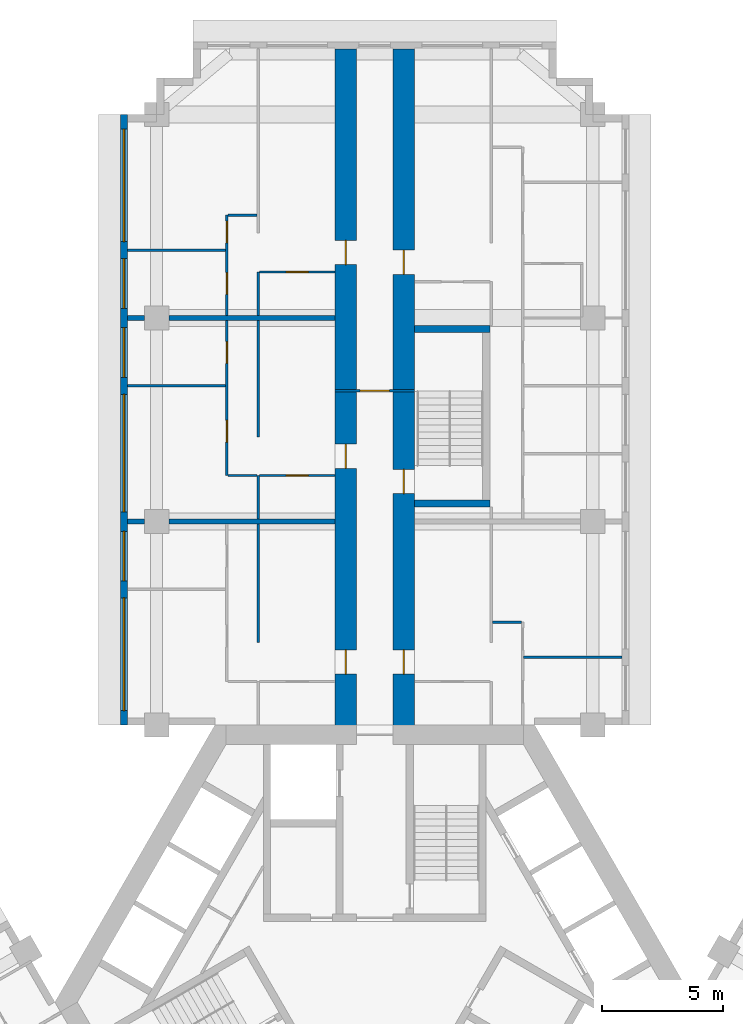
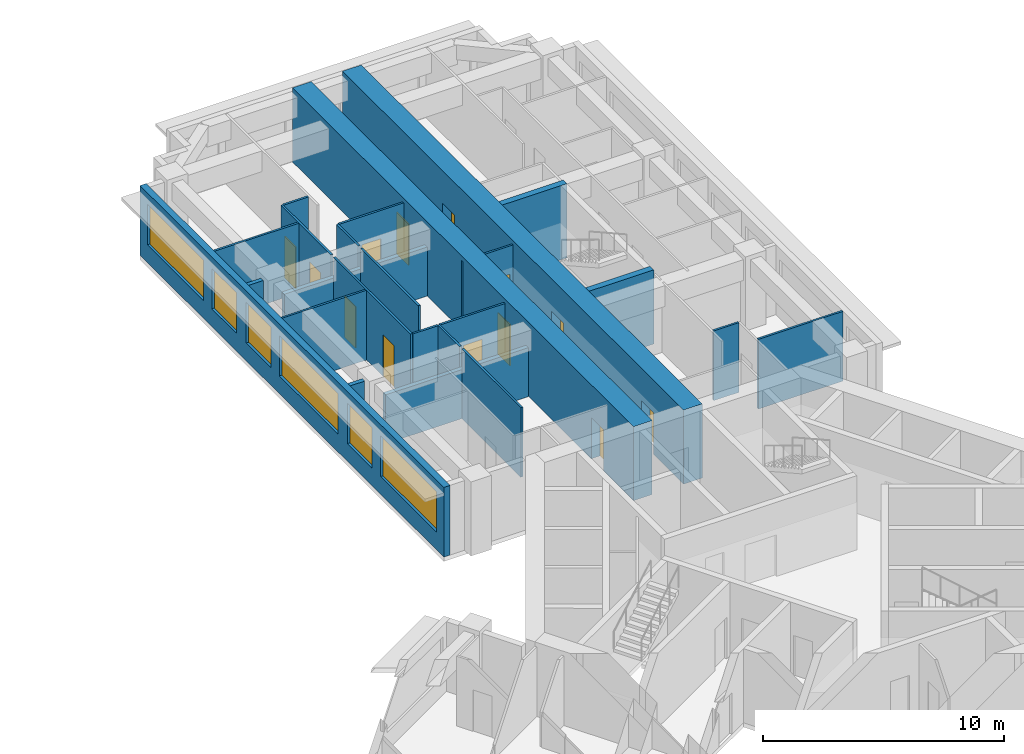
# One storey, part 9 of 14: 24 walls, 13 doors, 6 windows, 19 openings.
"""IFC4 building model written with IfcOpenShell, lengths in metres."""

import ifcopenshell
import ifcopenshell.guid

model = None  # the IFC model being written
_history = None  # IfcOwnerHistory: only IFC2X3 demands one
_inside = {}  # id of a spatial element -> (the spatial element, [elements in it])
_under = {}  # id of a project, library or spatial element -> (it, [spatial elements below it])
_declared = {}  # id of a project -> (the project, [libraries it declares])
_typed = {}  # id of a type object -> (the type object, [elements of that type])
_made_of = {}  # id of a material, layer set ... -> (it, [elements and type objects made of it])


def new_model(schema):
    """Start an empty IFC model of exactly this schema.

    Asked for "IFC4X3", IfcOpenShell would pick the latest addendum, in which some entities
    have other attributes; the version numbers below select the first issue.
    IFC2X3 requires an IfcOwnerHistory on every rooted entity: one is made here for all.
    """
    global model, _history
    if schema == "IFC4X3":
        model = ifcopenshell.file(schema_version=(4, 3, 0, 0))
    else:
        model = ifcopenshell.file(schema=schema)
    _inside.clear()
    _under.clear()
    _declared.clear()
    _typed.clear()
    _made_of.clear()
    _history = None
    if model.schema == "IFC2X3":
        org = make("IfcOrganization", Name="unknown")
        user = make(
            "IfcPersonAndOrganization",
            ThePerson=make("IfcPerson", FamilyName="unknown"),
            TheOrganization=org,
        )
        app = make(
            "IfcApplication",
            ApplicationDeveloper=org,
            Version="unknown",
            ApplicationFullName="unknown",
            ApplicationIdentifier="unknown",
        )
        _history = make(
            "IfcOwnerHistory",
            OwningUser=user,
            OwningApplication=app,
            ChangeAction="ADDED",
            CreationDate=0,
        )
    return model


def make(cls, **values):
    """One entity of the class cls with the attributes given. An attribute that is None is left unset."""
    return model.create_entity(
        cls, **{name: value for name, value in values.items() if value is not None}
    )


def rooted(cls, **values):
    """An entity with a GlobalId (a new one), such as an element, a storey or a relation."""
    return make(cls, GlobalId=ifcopenshell.guid.new(), OwnerHistory=_history, **values)


def si_unit(unit_type, name, prefix=None):
    """IfcSIUnit, for example si_unit("LENGTHUNIT", "METRE", prefix="MILLI")."""
    return make("IfcSIUnit", UnitType=unit_type, Prefix=prefix, Name=name)


def assignment(units):
    """IfcUnitAssignment: the units of a project."""
    return None if units is None else make("IfcUnitAssignment", Units=units)


def point(xyz):
    """IfcCartesianPoint."""
    return None if xyz is None else make("IfcCartesianPoint", Coordinates=xyz)


def direction(xyz):
    """IfcDirection."""
    return None if xyz is None else make("IfcDirection", DirectionRatios=xyz)


def frame(location, z_axis=None, x_axis=None):
    """IfcAxis2Placement3D, a coordinate frame: its origin and axes. An axis left out is left unset."""
    return make(
        "IfcAxis2Placement3D",
        Location=point(location),
        Axis=direction(z_axis),
        RefDirection=direction(x_axis),
    )


def frame_2d(location, x_axis=None):
    """IfcAxis2Placement2D, a coordinate frame in the plane: its origin and x axis."""
    return make(
        "IfcAxis2Placement2D", Location=point(location), RefDirection=direction(x_axis)
    )


def origin():
    """The frame at (0, 0, 0) with its axes left unset."""
    return frame((0.0, 0.0, 0.0))


def place(relative_to, where):
    """IfcLocalPlacement: puts the frame where relative to a parent placement (None: the world)."""
    return make(
        "IfcLocalPlacement", PlacementRelTo=relative_to, RelativePlacement=where
    )


def context(
    kind, dimensions, precision=None, world=None, true_north=None, identifier=None
):
    """IfcGeometricRepresentationContext, for example the 3D "Model" context."""
    return make(
        "IfcGeometricRepresentationContext",
        ContextIdentifier=identifier,
        ContextType=kind,
        CoordinateSpaceDimension=dimensions,
        Precision=precision,
        WorldCoordinateSystem=world,
        TrueNorth=true_north,
    )


def subcontext(parent, identifier, kind, view, scale=None):
    """IfcGeometricRepresentationSubContext, for example "Body" below "Model"."""
    return make(
        "IfcGeometricRepresentationSubContext",
        ContextIdentifier=identifier,
        ContextType=kind,
        ParentContext=parent,
        TargetScale=scale,
        TargetView=view,
    )


def project(units=None, contexts=None):
    """IfcProject with its units and contexts."""
    return rooted(
        "IfcProject",
        Name="project",
        RepresentationContexts=contexts,
        UnitsInContext=assignment(units),
    )


def spatial(cls, under=None, at=None, **own):
    """A site, building, storey or space (cls), placed at a placement, below another one or the project."""
    s = rooted(cls, ObjectPlacement=at, **own)
    if under is not None:
        _under.setdefault(under.id(), (under, []))[1].append(s)
    return s


def profile(cls, at=None, kind="AREA", **sizes):
    """A parametric profile (cls). Its sizes go by their IFC names, for example OverallWidth=200.0."""
    return make(cls, ProfileType=kind, Position=at, **sizes)


def rectangle(**sizes):
    """IfcRectangleProfileDef."""
    return profile("IfcRectangleProfileDef", **sizes)


def extrude(swept, where, along, depth):
    """IfcExtrudedAreaSolid: the profile swept, set in the frame where, extruded along a direction by depth."""
    return make(
        "IfcExtrudedAreaSolid",
        SweptArea=swept,
        Position=where,
        ExtrudedDirection=direction(along),
        Depth=depth,
    )


def shape(context_of_items, identifier, shape_type, items):
    """IfcShapeRepresentation: the items that make up one representation, for example the "Body"."""
    return make(
        "IfcShapeRepresentation",
        ContextOfItems=context_of_items,
        RepresentationIdentifier=identifier,
        RepresentationType=shape_type,
        Items=items,
    )


def material(Name=None, Category=None):
    """IfcMaterial."""
    return make("IfcMaterial", Name=Name, Category=Category)


def layer(
    of_material, thickness, ventilated=None, Name=None, Category=None, Priority=None
):
    """IfcMaterialLayer: one layer of a wall or slab, of a material (None: an air gap)."""
    return make(
        "IfcMaterialLayer",
        Material=of_material,
        LayerThickness=thickness,
        IsVentilated=ventilated,
        Name=Name,
        Category=Category,
        Priority=Priority,
    )


def layer_set(layers, Name=None):
    """IfcMaterialLayerSet."""
    return make("IfcMaterialLayerSet", MaterialLayers=layers, LayerSetName=Name)


def made_of(thing, what):
    """Note that an element or type object is made of a material, layer set ...; save() writes the relation."""
    if what is not None:
        _made_of.setdefault(what.id(), (what, []))[1].append(thing)
    return thing


def type_object(cls, material=None, **own):
    """A type object (cls), such as IfcWallType, which elements share."""
    return made_of(rooted(cls, **own), material)


def element(
    cls,
    number,
    at=None,
    inside=None,
    cuts=None,
    type_object=None,
    material=None,
    context=None,
    identifier="Body",
    shape_type=None,
    held_by="IfcProductDefinitionShape",
    body=None,
    shapes=None,
    **own,
):
    """One element of the class cls, such as IfcWall. Its Tag is "e" and its number.

    at: its placement. inside: the storey or other place that contains it. cuts: it is an
    opening in that element (IfcRelVoidsElement). A single representation is given by context,
    identifier, shape_type and body (its items); several are given by shapes. held_by: the class
    of the entity that holds the representations. save() writes the other relations.
    """
    e = rooted(cls, Tag="e%d" % number, ObjectPlacement=at, **own)
    if body is not None:
        shapes = [shape(context, identifier, shape_type, body)]
    if shapes is not None:
        e.Representation = make(held_by, Representations=shapes)
    if inside is not None:
        _inside.setdefault(inside.id(), (inside, []))[1].append(e)
    if cuts is not None:
        rooted(
            "IfcRelVoidsElement", RelatingBuildingElement=cuts, RelatedOpeningElement=e
        )
    if type_object is not None:
        _typed.setdefault(type_object.id(), (type_object, []))[1].append(e)
    return made_of(e, material)


def fill(opening, filler):
    """IfcRelFillsElement: the door or window that sits in an opening."""
    return rooted(
        "IfcRelFillsElement",
        RelatingOpeningElement=opening,
        RelatedBuildingElement=filler,
    )


def aggregate(whole, parts):
    """IfcRelAggregates: a whole, such as a stair, and the parts it consists of."""
    return rooted("IfcRelAggregates", RelatingObject=whole, RelatedObjects=parts)


def save(model, path):
    """Write the relations noted so far, then the file.

    IfcRelAggregates (storeys below a building ...), IfcRelContainedInSpatialStructure (elements
    in a storey), IfcRelDefinesByType, IfcRelAssociatesMaterial and IfcRelDeclares: one each for
    every whole, place, type object, material and project.
    """
    for whole, parts in _under.values():
        aggregate(whole, parts)
    for where, things in _inside.values():
        rooted(
            "IfcRelContainedInSpatialStructure",
            RelatedElements=things,
            RelatingStructure=where,
        )
    for kind, things in _typed.values():
        rooted("IfcRelDefinesByType", RelatedObjects=things, RelatingType=kind)
    for what, things in _made_of.values():
        rooted("IfcRelAssociatesMaterial", RelatedObjects=things, RelatingMaterial=what)
    for by, libraries in _declared.values():
        rooted("IfcRelDeclares", RelatingContext=by, RelatedDefinitions=libraries)
    model.write(path)


model = new_model("IFC4")

# Units and contexts
model_context = context("Model", 3, precision=1e-05, world=origin(), true_north=direction((0.0, 1.0)))
body_context = subcontext(model_context, "Body", "Model", "MODEL_VIEW")
ifc_project = project(units=[si_unit("LENGTHUNIT", "METRE"), si_unit("AREAUNIT", "SQUARE_METRE"), si_unit("VOLUMEUNIT", "CUBIC_METRE"), si_unit("PLANEANGLEUNIT", "RADIAN"), si_unit("MASSUNIT", "GRAM", prefix="KILO")], contexts=[model_context])

# Site, building, storey
site_placement = place(None, origin())
site = spatial("IfcSite", under=ifc_project, at=site_placement, CompositionType="ELEMENT")
building_placement = place(site_placement, origin())
building = spatial("IfcBuilding", under=site, at=building_placement, Name="Impinga Residences", CompositionType="ELEMENT")
storey_placement = place(building_placement, frame((0.0, 0.0, 121.0)))
storey = spatial("IfcBuildingStorey", under=building, at=storey_placement, Name="L29", CompositionType="ELEMENT", Elevation=121.0)

# Wall, openings, doors
ifc_material_1 = material(Name="Concrete C60/75", Category="concrete")
ifc_layer_1 = layer(ifc_material_1, 0.89990234375)
ifc_layer_set_1 = layer_set([ifc_layer_1], Name="Concrete C60/75")
wall_type_1 = type_object("IfcWallType", Name="BW2 corridor buttress wall, L24 to L44 900", PredefinedType="SHEAR", material=ifc_layer_set_1)
wall_1_placement = place(storey_placement, frame((-1.199951171875, 11.031494140625, 0.0), z_axis=(0.0, 0.0, 1.0), x_axis=(0.0, 1.0, 0.0)))
wall_1 = element("IfcWall", 1, at=wall_1_placement, inside=storey, type_object=wall_type_1, Name="Corridor wall BW2 NC L29", PredefinedType="SHEAR", context=body_context, shape_type="SweptSolid", body=[
    extrude(rectangle(XDim=28.300048828125, YDim=0.89990234375, at=frame_2d((14.14990234375, 0.0))), origin(), (0.0, 0.0, 1.0), 3.75),
])
opening_1_placement = place(wall_1_placement, frame((2.5, 0.0, 0.0)))
opening_1 = element("IfcOpeningElement", 2, at=opening_1_placement, cuts=wall_1, Name="Opening D1", PredefinedType="OPENING", context=body_context, shape_type="SweptSolid", body=[
    extrude(rectangle(XDim=1.0, YDim=2.10009765625, at=frame_2d((0.5, 1.050048828125))), frame((0.0, 0.4599609375, 0.0), z_axis=(0.0, -1.0, 0.0), x_axis=(1.0, 0.0, 0.0)), (0.0, 0.0, 1.0), 0.919921875),
])
opening_2_placement = place(wall_1_placement, frame((11.0, 0.0, 0.0)))
opening_2 = element("IfcOpeningElement", 3, at=opening_2_placement, cuts=wall_1, Name="Opening D1", PredefinedType="OPENING", context=body_context, shape_type="SweptSolid", body=[
    extrude(rectangle(XDim=1.0, YDim=2.10009765625, at=frame_2d((0.5, 1.050048828125))), frame((0.0, 0.4599609375, 0.0), z_axis=(0.0, -1.0, 0.0), x_axis=(1.0, 0.0, 0.0)), (0.0, 0.0, 1.0), 0.919921875),
])
opening_3_placement = place(wall_1_placement, frame((19.39990234375, 0.0, 0.0)))
opening_3 = element("IfcOpeningElement", 4, at=opening_3_placement, cuts=wall_1, Name="Opening D1", PredefinedType="OPENING", context=body_context, shape_type="SweptSolid", body=[
    extrude(rectangle(XDim=1.0, YDim=2.10009765625, at=frame_2d((0.5, 1.050048828125))), frame((0.0, 0.4599609375, 0.0), z_axis=(0.0, -1.0, 0.0), x_axis=(1.0, 0.0, 0.0)), (0.0, 0.0, 1.0), 0.919921875),
])
ifc_material_2 = material(Name="Timber door set", Category="wood")
door_type_1 = type_object("IfcDoorType", Name="D1 apartment entrance door 1000x2100", OperationType="SINGLE_SWING_LEFT", PredefinedType="DOOR", material=ifc_material_2)
door_1_placement = place(opening_1_placement, origin())
door_1 = element("IfcDoor", 5, at=door_1_placement, inside=storey, type_object=door_type_1, Name="Apartment L29-NA1 entrance", OperationType="SINGLE_SWING_LEFT", OverallHeight=2.10009765625, OverallWidth=1.0, PredefinedType="DOOR", context=body_context, shape_type="SweptSolid", body=[
    extrude(rectangle(XDim=1.0, YDim=2.10009765625, at=frame_2d((0.5, 1.050048828125))), frame((0.0, 0.02490234375, 0.0), z_axis=(0.0, -1.0, 0.0), x_axis=(1.0, 0.0, 0.0)), (0.0, 0.0, 1.0), 0.050048828125),
])
fill(opening_1, door_1)
door_2_placement = place(opening_2_placement, origin())
door_2 = element("IfcDoor", 6, at=door_2_placement, inside=storey, type_object=door_type_1, Name="Apartment L29-NA2 entrance", OperationType="SINGLE_SWING_LEFT", OverallHeight=2.10009765625, OverallWidth=1.0, PredefinedType="DOOR", context=body_context, shape_type="SweptSolid", body=[
    extrude(rectangle(XDim=1.0, YDim=2.10009765625, at=frame_2d((0.5, 1.050048828125))), frame((0.0, 0.02490234375, 0.0), z_axis=(0.0, -1.0, 0.0), x_axis=(1.0, 0.0, 0.0)), (0.0, 0.0, 1.0), 0.050048828125),
])
fill(opening_2, door_2)
door_3_placement = place(opening_3_placement, origin())
door_3 = element("IfcDoor", 7, at=door_3_placement, inside=storey, type_object=door_type_1, Name="Apartment L29-NA3 entrance", OperationType="SINGLE_SWING_RIGHT", OverallHeight=2.10009765625, OverallWidth=1.0, PredefinedType="DOOR", context=body_context, shape_type="SweptSolid", body=[
    extrude(rectangle(XDim=1.0, YDim=2.10009765625, at=frame_2d((0.5, 1.050048828125))), frame((0.0, 0.02490234375, 0.0), z_axis=(0.0, -1.0, 0.0), x_axis=(1.0, 0.0, 0.0)), (0.0, 0.0, 1.0), 0.050048828125),
])
fill(opening_3, door_3)

wall_2_placement = place(storey_placement, frame((1.199951171875, 11.031494140625, 0.0), z_axis=(0.0, 0.0, 1.0), x_axis=(0.0, 1.0, 0.0)))
wall_2 = element("IfcWall", 8, at=wall_2_placement, inside=storey, type_object=wall_type_1, Name="Corridor wall BW2 ND L29", PredefinedType="SHEAR", context=body_context, shape_type="SweptSolid", body=[
    extrude(rectangle(XDim=28.300048828125, YDim=0.89990234375, at=frame_2d((14.14990234375, 0.0))), origin(), (0.0, 0.0, 1.0), 3.75),
])
opening_4_placement = place(wall_2_placement, frame((9.949951171875, 0.0, 0.0)))
opening_4 = element("IfcOpeningElement", 9, at=opening_4_placement, cuts=wall_2, Name="Opening D5", PredefinedType="OPENING", context=body_context, shape_type="SweptSolid", body=[
    extrude(rectangle(XDim=1.0, YDim=2.10009765625, at=frame_2d((0.5, 1.050048828125))), frame((0.0, 0.4599609375, 0.0), z_axis=(0.0, -1.0, 0.0), x_axis=(1.0, 0.0, 0.0)), (0.0, 0.0, 1.0), 0.919921875),
])
opening_5_placement = place(wall_2_placement, frame((2.5, 0.0, 0.0)))
opening_5 = element("IfcOpeningElement", 10, at=opening_5_placement, cuts=wall_2, Name="Opening D1", PredefinedType="OPENING", context=body_context, shape_type="SweptSolid", body=[
    extrude(rectangle(XDim=1.0, YDim=2.10009765625, at=frame_2d((0.5, 1.050048828125))), frame((0.0, 0.4599609375, 0.0), z_axis=(0.0, -1.0, 0.0), x_axis=(1.0, 0.0, 0.0)), (0.0, 0.0, 1.0), 0.919921875),
])
opening_6_placement = place(wall_2_placement, frame((19.0, 0.0, 0.0)))
opening_6 = element("IfcOpeningElement", 11, at=opening_6_placement, cuts=wall_2, Name="Opening D1", PredefinedType="OPENING", context=body_context, shape_type="SweptSolid", body=[
    extrude(rectangle(XDim=1.0, YDim=2.10009765625, at=frame_2d((0.5, 1.050048828125))), frame((0.0, 0.4599609375, 0.0), z_axis=(0.0, -1.0, 0.0), x_axis=(1.0, 0.0, 0.0)), (0.0, 0.0, 1.0), 0.919921875),
])
door_4_placement = place(opening_5_placement, origin())
door_4 = element("IfcDoor", 12, at=door_4_placement, inside=storey, type_object=door_type_1, Name="Apartment L29-NF1 entrance", OperationType="SINGLE_SWING_LEFT", OverallHeight=2.10009765625, OverallWidth=1.0, PredefinedType="DOOR", context=body_context, shape_type="SweptSolid", body=[
    extrude(rectangle(XDim=1.0, YDim=2.10009765625, at=frame_2d((0.5, 1.050048828125))), frame((0.0, 0.02490234375, 0.0), z_axis=(0.0, -1.0, 0.0), x_axis=(1.0, 0.0, 0.0)), (0.0, 0.0, 1.0), 0.050048828125),
])
fill(opening_5, door_4)
door_5_placement = place(opening_6_placement, origin())
door_5 = element("IfcDoor", 13, at=door_5_placement, inside=storey, type_object=door_type_1, Name="Apartment L29-NF2 entrance", OperationType="SINGLE_SWING_RIGHT", OverallHeight=2.10009765625, OverallWidth=1.0, PredefinedType="DOOR", context=body_context, shape_type="SweptSolid", body=[
    extrude(rectangle(XDim=1.0, YDim=2.10009765625, at=frame_2d((0.5, 1.050048828125))), frame((0.0, 0.02490234375, 0.0), z_axis=(0.0, -1.0, 0.0), x_axis=(1.0, 0.0, 0.0)), (0.0, 0.0, 1.0), 0.050048828125),
])
fill(opening_6, door_5)
door_type_2 = type_object("IfcDoorType", Name="D5 stair door 1000x2100", OperationType="SINGLE_SWING_LEFT", PredefinedType="DOOR", material=ifc_material_2)
door_6_placement = place(opening_4_placement, origin())
door_6 = element("IfcDoor", 14, at=door_6_placement, inside=storey, type_object=door_type_2, Name="Wing stair door N", OperationType="SINGLE_SWING_LEFT", OverallHeight=2.10009765625, OverallWidth=1.0, PredefinedType="DOOR", context=body_context, shape_type="SweptSolid", body=[
    extrude(rectangle(XDim=1.0, YDim=2.10009765625, at=frame_2d((0.5, 1.050048828125))), frame((0.0, 0.02490234375, 0.0), z_axis=(0.0, -1.0, 0.0), x_axis=(1.0, 0.0, 0.0)), (0.0, 0.0, 1.0), 0.050048828125),
])
fill(opening_4, door_6)

# Wall, opening, door
ifc_material_3 = material(Name="Concrete blockwork", Category="masonry")
ifc_layer_2 = layer(ifc_material_3, 0.10009765625)
ifc_layer_set_2 = layer_set([ifc_layer_2], Name="CP1 core room partition, blockwork 100")
wall_type_2 = type_object("IfcWallType", Name="CP1 core room partition, blockwork 100", PredefinedType="PARTITIONING", material=ifc_layer_set_2)
wall_3_placement = place(storey_placement, frame((-1.64990234375, 25.2314453125, 0.0), z_axis=(0.0, 0.0, 1.0), x_axis=(1.0, 0.0, 0.0)))
wall_3 = element("IfcWall", 15, at=wall_3_placement, inside=storey, type_object=wall_type_2, Name="Core room partition, blockwork L29:N:PLB", PredefinedType="PARTITIONING", context=body_context, shape_type="SweptSolid", body=[
    extrude(rectangle(XDim=3.2998046875, YDim=0.10009765625, at=frame_2d((1.64990234375, 0.0))), origin(), (0.0, 0.0, 1.0), 3.530029296875),
])
opening_7_placement = place(wall_3_placement, frame((1.050048828125, 0.0, 0.0)))
opening_7 = element("IfcOpeningElement", 16, at=opening_7_placement, cuts=wall_3, Name="Opening D3", PredefinedType="OPENING", context=body_context, shape_type="SweptSolid", body=[
    extrude(rectangle(XDim=1.199951171875, YDim=2.10009765625, at=frame_2d((0.60009765625, 1.050048828125))), frame((0.0, 0.06005859375, 0.0), z_axis=(0.0, -1.0, 0.0), x_axis=(1.0, 0.0, 0.0)), (0.0, 0.0, 1.0), 0.1201171875),
])
door_type_3 = type_object("IfcDoorType", Name="D3 room door, leaf and a half 1200x2100", OperationType="DOUBLE_SWING_LEFT", PredefinedType="DOOR", material=ifc_material_2)
door_7_placement = place(opening_7_placement, origin())
door_7 = element("IfcDoor", 17, at=door_7_placement, inside=storey, type_object=door_type_3, Name="Private lobby door N", OperationType="DOUBLE_SWING_LEFT", OverallHeight=2.10009765625, OverallWidth=1.199951171875, PredefinedType="DOOR", context=body_context, shape_type="SweptSolid", body=[
    extrude(rectangle(XDim=1.199951171875, YDim=2.10009765625, at=frame_2d((0.60009765625, 1.050048828125))), frame((0.0, 0.02490234375, 0.0), z_axis=(0.0, -1.0, 0.0), x_axis=(1.0, 0.0, 0.0)), (0.0, 0.0, 1.0), 0.050048828125),
])
fill(opening_7, door_7)

# Wall, openings, windows
ifc_material_4 = material(Name="Terracotta rainscreen on blockwork", Category="masonry")
ifc_layer_3 = layer(ifc_material_4, 0.300048828125)
ifc_layer_set_3 = layer_set([ifc_layer_3], Name="EW1 external wall, terracotta rainscreen on blockwork 300")
wall_type_3 = type_object("IfcWallType", Name="EW1 external wall, terracotta rainscreen on blockwork 300", PredefinedType="SOLIDWALL", material=ifc_layer_set_3)
wall_4_placement = place(storey_placement, frame((-10.35009765625, 11.431640625, 0.0), z_axis=(0.0, 0.0, 1.0), x_axis=(0.0, 1.0, 0.0)))
wall_4 = element("IfcWall", 18, at=wall_4_placement, inside=storey, type_object=wall_type_3, Name="External wall EW1 L29", PredefinedType="SOLIDWALL", context=body_context, shape_type="SweptSolid", body=[
    extrude(rectangle(XDim=25.199951171875, YDim=0.300048828125, at=frame_2d((12.60009765625, 0.0))), origin(), (0.0, 0.0, 1.0), 3.530029296875),
])
opening_8_placement = place(wall_4_placement, frame((0.60009765625, 0.0, 0.89990234375)))
opening_8 = element("IfcOpeningElement", 19, at=opening_8_placement, cuts=wall_4, Name="Opening W10", PredefinedType="OPENING", context=body_context, shape_type="SweptSolid", body=[
    extrude(rectangle(XDim=4.64990234375, YDim=2.050048828125, at=frame_2d((2.324951171875, 1.02490234375))), frame((0.0, 0.159912109375, 0.0), z_axis=(0.0, -1.0, 0.0), x_axis=(1.0, 0.0, 0.0)), (0.0, 0.0, 1.0), 0.320068359375),
])
opening_9_placement = place(wall_4_placement, frame((5.949951171875, 0.0, 0.89990234375)))
opening_9 = element("IfcOpeningElement", 20, at=opening_9_placement, cuts=wall_4, Name="Opening W14", PredefinedType="OPENING", context=body_context, shape_type="SweptSolid", body=[
    extrude(rectangle(XDim=2.050048828125, YDim=2.050048828125, at=frame_2d((1.02490234375, 1.02490234375))), frame((0.0, 0.159912109375, 0.0), z_axis=(0.0, -1.0, 0.0), x_axis=(1.0, 0.0, 0.0)), (0.0, 0.0, 1.0), 0.320068359375),
])
opening_10_placement = place(wall_4_placement, frame((8.800048828125, 0.0, 0.89990234375)))
opening_10 = element("IfcOpeningElement", 21, at=opening_10_placement, cuts=wall_4, Name="Opening W6", PredefinedType="OPENING", context=body_context, shape_type="SweptSolid", body=[
    extrude(rectangle(XDim=4.85009765625, YDim=2.050048828125, at=frame_2d((2.425048828125, 1.02490234375))), frame((0.0, 0.159912109375, 0.0), z_axis=(0.0, -1.0, 0.0), x_axis=(1.0, 0.0, 0.0)), (0.0, 0.0, 1.0), 0.320068359375),
])
opening_11_placement = place(wall_4_placement, frame((14.35009765625, 0.0, 0.89990234375)))
opening_11 = element("IfcOpeningElement", 22, at=opening_11_placement, cuts=wall_4, Name="Opening W14", PredefinedType="OPENING", context=body_context, shape_type="SweptSolid", body=[
    extrude(rectangle(XDim=2.050048828125, YDim=2.050048828125, at=frame_2d((1.02490234375, 1.02490234375))), frame((0.0, 0.159912109375, 0.0), z_axis=(0.0, -1.0, 0.0), x_axis=(1.0, 0.0, 0.0)), (0.0, 0.0, 1.0), 0.320068359375),
])
opening_12_placement = place(wall_4_placement, frame((17.199951171875, 0.0, 0.89990234375)))
opening_12 = element("IfcOpeningElement", 23, at=opening_12_placement, cuts=wall_4, Name="Opening W14", PredefinedType="OPENING", context=body_context, shape_type="SweptSolid", body=[
    extrude(rectangle(XDim=2.050048828125, YDim=2.050048828125, at=frame_2d((1.02490234375, 1.02490234375))), frame((0.0, 0.159912109375, 0.0), z_axis=(0.0, -1.0, 0.0), x_axis=(1.0, 0.0, 0.0)), (0.0, 0.0, 1.0), 0.320068359375),
])
opening_13_placement = place(wall_4_placement, frame((19.949951171875, 0.0, 0.89990234375)))
opening_13 = element("IfcOpeningElement", 24, at=opening_13_placement, cuts=wall_4, Name="Opening W10", PredefinedType="OPENING", context=body_context, shape_type="SweptSolid", body=[
    extrude(rectangle(XDim=4.64990234375, YDim=2.050048828125, at=frame_2d((2.324951171875, 1.02490234375))), frame((0.0, 0.159912109375, 0.0), z_axis=(0.0, -1.0, 0.0), x_axis=(1.0, 0.0, 0.0)), (0.0, 0.0, 1.0), 0.320068359375),
])
ifc_material_5 = material(Name="Aluminium window, clear double glazing", Category="aluminium")
window_type_1 = type_object("IfcWindowType", Name="W10 ribbon window 4650x2050", PartitioningType="SINGLE_PANEL", PredefinedType="WINDOW", material=ifc_material_5)
window_1_placement = place(opening_8_placement, origin())
window_1 = element("IfcWindow", 25, at=window_1_placement, inside=storey, type_object=window_type_1, Name="Window L29", OverallHeight=2.050048828125, OverallWidth=4.64990234375, PartitioningType="SINGLE_PANEL", PredefinedType="WINDOW", context=body_context, shape_type="SweptSolid", body=[
    extrude(rectangle(XDim=4.64990234375, YDim=2.050048828125, at=frame_2d((2.324951171875, 1.02490234375))), frame((0.0, 0.030029296875, 0.0), z_axis=(0.0, -1.0, 0.0), x_axis=(1.0, 0.0, 0.0)), (0.0, 0.0, 1.0), 0.06005859375),
])
fill(opening_8, window_1)
window_2_placement = place(opening_13_placement, origin())
window_2 = element("IfcWindow", 26, at=window_2_placement, inside=storey, type_object=window_type_1, Name="Window L29", OverallHeight=2.050048828125, OverallWidth=4.64990234375, PartitioningType="SINGLE_PANEL", PredefinedType="WINDOW", context=body_context, shape_type="SweptSolid", body=[
    extrude(rectangle(XDim=4.64990234375, YDim=2.050048828125, at=frame_2d((2.324951171875, 1.02490234375))), frame((0.0, 0.030029296875, 0.0), z_axis=(0.0, -1.0, 0.0), x_axis=(1.0, 0.0, 0.0)), (0.0, 0.0, 1.0), 0.06005859375),
])
fill(opening_13, window_2)
window_type_2 = type_object("IfcWindowType", Name="W14 ribbon window 2050x2050", PartitioningType="SINGLE_PANEL", PredefinedType="WINDOW", material=ifc_material_5)
window_3_placement = place(opening_9_placement, origin())
window_3 = element("IfcWindow", 27, at=window_3_placement, inside=storey, type_object=window_type_2, Name="Window L29", OverallHeight=2.050048828125, OverallWidth=2.050048828125, PartitioningType="SINGLE_PANEL", PredefinedType="WINDOW", context=body_context, shape_type="SweptSolid", body=[
    extrude(rectangle(XDim=2.050048828125, YDim=2.050048828125, at=frame_2d((1.02490234375, 1.02490234375))), frame((0.0, 0.030029296875, 0.0), z_axis=(0.0, -1.0, 0.0), x_axis=(1.0, 0.0, 0.0)), (0.0, 0.0, 1.0), 0.06005859375),
])
fill(opening_9, window_3)
window_4_placement = place(opening_11_placement, origin())
window_4 = element("IfcWindow", 28, at=window_4_placement, inside=storey, type_object=window_type_2, Name="Window L29", OverallHeight=2.050048828125, OverallWidth=2.050048828125, PartitioningType="SINGLE_PANEL", PredefinedType="WINDOW", context=body_context, shape_type="SweptSolid", body=[
    extrude(rectangle(XDim=2.050048828125, YDim=2.050048828125, at=frame_2d((1.02490234375, 1.02490234375))), frame((0.0, 0.030029296875, 0.0), z_axis=(0.0, -1.0, 0.0), x_axis=(1.0, 0.0, 0.0)), (0.0, 0.0, 1.0), 0.06005859375),
])
fill(opening_11, window_4)
window_5_placement = place(opening_12_placement, origin())
window_5 = element("IfcWindow", 29, at=window_5_placement, inside=storey, type_object=window_type_2, Name="Window L29", OverallHeight=2.050048828125, OverallWidth=2.050048828125, PartitioningType="SINGLE_PANEL", PredefinedType="WINDOW", context=body_context, shape_type="SweptSolid", body=[
    extrude(rectangle(XDim=2.050048828125, YDim=2.050048828125, at=frame_2d((1.02490234375, 1.02490234375))), frame((0.0, 0.030029296875, 0.0), z_axis=(0.0, -1.0, 0.0), x_axis=(1.0, 0.0, 0.0)), (0.0, 0.0, 1.0), 0.06005859375),
])
fill(opening_12, window_5)
window_type_3 = type_object("IfcWindowType", Name="W6 ribbon window 4850x2050", PartitioningType="SINGLE_PANEL", PredefinedType="WINDOW", material=ifc_material_5)
window_6_placement = place(opening_10_placement, origin())
window_6 = element("IfcWindow", 30, at=window_6_placement, inside=storey, type_object=window_type_3, Name="Window L29", OverallHeight=2.050048828125, OverallWidth=4.85009765625, PartitioningType="SINGLE_PANEL", PredefinedType="WINDOW", context=body_context, shape_type="SweptSolid", body=[
    extrude(rectangle(XDim=4.85009765625, YDim=2.050048828125, at=frame_2d((2.425048828125, 1.02490234375))), frame((0.0, 0.030029296875, 0.0), z_axis=(0.0, -1.0, 0.0), x_axis=(1.0, 0.0, 0.0)), (0.0, 0.0, 1.0), 0.06005859375),
])
fill(opening_10, window_6)

# Walls
ifc_material_6 = material(Name="Gypsum board on steel studs", Category="steel")
ifc_layer_4 = layer(ifc_material_6, 0.10009765625)
ifc_layer_set_4 = layer_set([ifc_layer_4], Name="Gypsum board on steel studs")
wall_type_4 = type_object("IfcWallType", Name="IP1 partition 100", PredefinedType="PARTITIONING", material=ifc_layer_set_4)
wall_5_placement = place(storey_placement, frame((-4.800048828125, 14.83154296875, 0.0), z_axis=(0.0, 0.0, 1.0), x_axis=(0.0, 1.0, 0.0)))
element("IfcWall", 31, at=wall_5_placement, inside=storey, type_object=wall_type_4, Name="Partition L29-NA1:DIV1", PredefinedType="PARTITIONING", context=body_context, shape_type="SweptSolid", body=[
    extrude(rectangle(XDim=4.89990234375, YDim=0.10009765625, at=frame_2d((2.449951171875, 0.0))), origin(), (0.0, 0.0, 1.0), 3.530029296875),
])
wall_6_placement = place(storey_placement, frame((-4.800048828125, 19.931640625, 0.0), z_axis=(0.0, 0.0, 1.0), x_axis=(0.0, 1.0, 0.0)))
element("IfcWall", 32, at=wall_6_placement, inside=storey, type_object=wall_type_4, Name="Partition L29-NA2:DIV0", PredefinedType="PARTITIONING", context=body_context, shape_type="SweptSolid", body=[
    extrude(rectangle(XDim=1.7998046875, YDim=0.10009765625, at=frame_2d((0.89990234375, 0.0))), origin(), (0.0, 0.0, 1.0), 3.530029296875),
])
wall_7_placement = place(storey_placement, frame((-4.800048828125, 23.33154296875, 0.0), z_axis=(0.0, 0.0, 1.0), x_axis=(0.0, 1.0, 0.0)))
element("IfcWall", 33, at=wall_7_placement, inside=storey, type_object=wall_type_4, Name="Partition L29-NA2:DIV1", PredefinedType="PARTITIONING", context=body_context, shape_type="SweptSolid", body=[
    extrude(rectangle(XDim=4.800048828125, YDim=0.10009765625, at=frame_2d((2.39990234375, 0.0))), origin(), (0.0, 0.0, 1.0), 3.530029296875),
])

# Wall, openings, doors
wall_8_placement = place(storey_placement, frame((-6.10009765625, 21.7314453125, 0.0), z_axis=(0.0, 0.0, 1.0), x_axis=(0.0, 1.0, 0.0)))
wall_8 = element("IfcWall", 34, at=wall_8_placement, inside=storey, type_object=wall_type_4, Name="Partition L29-NA2:STRIP", PredefinedType="PARTITIONING", context=body_context, shape_type="SweptSolid", body=[
    extrude(rectangle(XDim=6.400146484375, YDim=0.10009765625, at=frame_2d((3.2001953125, 0.0))), origin(), (0.0, 0.0, 1.0), 3.530029296875),
])
opening_14_placement = place(wall_8_placement, frame((1.375, 0.0, 0.0)))
opening_14 = element("IfcOpeningElement", 35, at=opening_14_placement, cuts=wall_8, Name="Opening D2", PredefinedType="OPENING", context=body_context, shape_type="SweptSolid", body=[
    extrude(rectangle(XDim=0.89990234375, YDim=2.10009765625, at=frame_2d((0.449951171875, 1.050048828125))), frame((0.0, 0.06005859375, 0.0), z_axis=(0.0, -1.0, 0.0), x_axis=(1.0, 0.0, 0.0)), (0.0, 0.0, 1.0), 0.1201171875),
])
opening_15_placement = place(wall_8_placement, frame((4.625, 0.0, 0.0)))
opening_15 = element("IfcOpeningElement", 36, at=opening_15_placement, cuts=wall_8, Name="Opening D2", PredefinedType="OPENING", context=body_context, shape_type="SweptSolid", body=[
    extrude(rectangle(XDim=0.89990234375, YDim=2.10009765625, at=frame_2d((0.449951171875, 1.050048828125))), frame((0.0, 0.06005859375, 0.0), z_axis=(0.0, -1.0, 0.0), x_axis=(1.0, 0.0, 0.0)), (0.0, 0.0, 1.0), 0.1201171875),
])
door_type_4 = type_object("IfcDoorType", Name="D2 internal door 900x2100", OperationType="SINGLE_SWING_LEFT", PredefinedType="DOOR", material=ifc_material_2)
door_8_placement = place(opening_14_placement, origin())
door_8 = element("IfcDoor", 37, at=door_8_placement, inside=storey, type_object=door_type_4, Name="Apartment L29-NA2 room door", OperationType="SINGLE_SWING_LEFT", OverallHeight=2.10009765625, OverallWidth=0.89990234375, PredefinedType="DOOR", context=body_context, shape_type="SweptSolid", body=[
    extrude(rectangle(XDim=0.89990234375, YDim=2.10009765625, at=frame_2d((0.449951171875, 1.050048828125))), frame((0.0, 0.02490234375, 0.0), z_axis=(0.0, -1.0, 0.0), x_axis=(1.0, 0.0, 0.0)), (0.0, 0.0, 1.0), 0.050048828125),
])
fill(opening_14, door_8)
door_9_placement = place(opening_15_placement, origin())
door_9 = element("IfcDoor", 38, at=door_9_placement, inside=storey, type_object=door_type_4, Name="Apartment L29-NA2 room door", OperationType="SINGLE_SWING_RIGHT", OverallHeight=2.10009765625, OverallWidth=0.89990234375, PredefinedType="DOOR", context=body_context, shape_type="SweptSolid", body=[
    extrude(rectangle(XDim=0.89990234375, YDim=2.10009765625, at=frame_2d((0.449951171875, 1.050048828125))), frame((0.0, 0.02490234375, 0.0), z_axis=(0.0, -1.0, 0.0), x_axis=(1.0, 0.0, 0.0)), (0.0, 0.0, 1.0), 0.050048828125),
])
fill(opening_15, door_9)

# Wall
wall_9_placement = place(storey_placement, frame((-4.85009765625, 21.7314453125, 0.0), z_axis=(0.0, 0.0, 1.0), x_axis=(-1.0, 0.0, 0.0)))
element("IfcWall", 39, at=wall_9_placement, inside=storey, type_object=wall_type_4, Name="Partition L29-NA2:SE0", PredefinedType="PARTITIONING", context=body_context, shape_type="SweptSolid", body=[
    extrude(rectangle(XDim=1.199951171875, YDim=0.10009765625, at=frame_2d((0.60009765625, 0.0))), origin(), (0.0, 0.0, 1.0), 3.530029296875),
])

# Wall, opening, door
wall_10_placement = place(storey_placement, frame((-1.64990234375, 21.7314453125, 0.0), z_axis=(0.0, 0.0, 1.0), x_axis=(-1.0, 0.0, 0.0)))
wall_10 = element("IfcWall", 40, at=wall_10_placement, inside=storey, type_object=wall_type_4, Name="Partition L29-NA2:IB1", PredefinedType="PARTITIONING", context=body_context, shape_type="SweptSolid", body=[
    extrude(rectangle(XDim=3.10009765625, YDim=0.10009765625, at=frame_2d((1.550048828125, 0.0))), origin(), (0.0, 0.0, 1.0), 3.530029296875),
])
opening_16_placement = place(wall_10_placement, frame((1.10009765625, 0.0, 0.0)))
opening_16 = element("IfcOpeningElement", 41, at=opening_16_placement, cuts=wall_10, Name="Opening D2", PredefinedType="OPENING", context=body_context, shape_type="SweptSolid", body=[
    extrude(rectangle(XDim=0.89990234375, YDim=2.10009765625, at=frame_2d((0.449951171875, 1.050048828125))), frame((0.0, 0.06005859375, 0.0), z_axis=(0.0, -1.0, 0.0), x_axis=(1.0, 0.0, 0.0)), (0.0, 0.0, 1.0), 0.1201171875),
])
door_10_placement = place(opening_16_placement, origin())
door_10 = element("IfcDoor", 42, at=door_10_placement, inside=storey, type_object=door_type_4, Name="Apartment L29-NA2 bathroom door", OperationType="SINGLE_SWING_LEFT", OverallHeight=2.10009765625, OverallWidth=0.89990234375, PredefinedType="DOOR", context=body_context, shape_type="SweptSolid", body=[
    extrude(rectangle(XDim=0.89990234375, YDim=2.10009765625, at=frame_2d((0.449951171875, 1.050048828125))), frame((0.0, 0.02490234375, 0.0), z_axis=(0.0, -1.0, 0.0), x_axis=(1.0, 0.0, 0.0)), (0.0, 0.0, 1.0), 0.050048828125),
])
fill(opening_16, door_10)

# Walls
wall_11_placement = place(storey_placement, frame((-6.14990234375, 25.431640625, 0.0), z_axis=(0.0, 0.0, 1.0), x_axis=(-1.0, 0.0, 0.0)))
element("IfcWall", 43, at=wall_11_placement, inside=storey, type_object=wall_type_4, Name="Partition L29-NA2:OB1", PredefinedType="PARTITIONING", context=body_context, shape_type="SweptSolid", body=[
    extrude(rectangle(XDim=4.050048828125, YDim=0.10009765625, at=frame_2d((2.02490234375, 0.0))), origin(), (0.0, 0.0, 1.0), 3.530029296875),
])
wall_12_placement = place(storey_placement, frame((-4.800048828125, 28.33154296875, 0.0), z_axis=(0.0, 0.0, 1.0), x_axis=(0.0, 1.0, 0.0)))
element("IfcWall", 44, at=wall_12_placement, inside=storey, type_object=wall_type_4, Name="Partition L29-NA3:DIV0", PredefinedType="PARTITIONING", context=body_context, shape_type="SweptSolid", body=[
    extrude(rectangle(XDim=1.800048828125, YDim=0.10009765625, at=frame_2d((0.89990234375, 0.0))), origin(), (0.0, 0.0, 1.0), 3.530029296875),
])

# Wall, openings, doors
wall_13_placement = place(storey_placement, frame((-6.10009765625, 28.33154296875, 0.0), z_axis=(0.0, 0.0, 1.0), x_axis=(0.0, 1.0, 0.0)))
wall_13 = element("IfcWall", 45, at=wall_13_placement, inside=storey, type_object=wall_type_4, Name="Partition L29-NA3:STRIP", PredefinedType="PARTITIONING", context=body_context, shape_type="SweptSolid", body=[
    extrude(rectangle(XDim=4.14990234375, YDim=0.10009765625, at=frame_2d((2.074951171875, 0.0))), origin(), (0.0, 0.0, 1.0), 3.530029296875),
])
opening_17_placement = place(wall_13_placement, frame((0.875, 0.0, 0.0)))
opening_17 = element("IfcOpeningElement", 46, at=opening_17_placement, cuts=wall_13, Name="Opening D2", PredefinedType="OPENING", context=body_context, shape_type="SweptSolid", body=[
    extrude(rectangle(XDim=0.89990234375, YDim=2.10009765625, at=frame_2d((0.449951171875, 1.050048828125))), frame((0.0, 0.06005859375, 0.0), z_axis=(0.0, -1.0, 0.0), x_axis=(1.0, 0.0, 0.0)), (0.0, 0.0, 1.0), 0.1201171875),
])
opening_18_placement = place(wall_13_placement, frame((3.0, 0.0, 0.0)))
opening_18 = element("IfcOpeningElement", 47, at=opening_18_placement, cuts=wall_13, Name="Opening D2", PredefinedType="OPENING", context=body_context, shape_type="SweptSolid", body=[
    extrude(rectangle(XDim=0.89990234375, YDim=2.10009765625, at=frame_2d((0.449951171875, 1.050048828125))), frame((0.0, 0.06005859375, 0.0), z_axis=(0.0, -1.0, 0.0), x_axis=(1.0, 0.0, 0.0)), (0.0, 0.0, 1.0), 0.1201171875),
])
door_11_placement = place(opening_17_placement, origin())
door_11 = element("IfcDoor", 48, at=door_11_placement, inside=storey, type_object=door_type_4, Name="Apartment L29-NA3 room door", OperationType="SINGLE_SWING_LEFT", OverallHeight=2.10009765625, OverallWidth=0.89990234375, PredefinedType="DOOR", context=body_context, shape_type="SweptSolid", body=[
    extrude(rectangle(XDim=0.89990234375, YDim=2.10009765625, at=frame_2d((0.449951171875, 1.050048828125))), frame((0.0, 0.02490234375, 0.0), z_axis=(0.0, -1.0, 0.0), x_axis=(1.0, 0.0, 0.0)), (0.0, 0.0, 1.0), 0.050048828125),
])
fill(opening_17, door_11)
door_12_placement = place(opening_18_placement, origin())
door_12 = element("IfcDoor", 49, at=door_12_placement, inside=storey, type_object=door_type_4, Name="Apartment L29-NA3 room door", OperationType="SINGLE_SWING_RIGHT", OverallHeight=2.10009765625, OverallWidth=0.89990234375, PredefinedType="DOOR", context=body_context, shape_type="SweptSolid", body=[
    extrude(rectangle(XDim=0.89990234375, YDim=2.10009765625, at=frame_2d((0.449951171875, 1.050048828125))), frame((0.0, 0.02490234375, 0.0), z_axis=(0.0, -1.0, 0.0), x_axis=(1.0, 0.0, 0.0)), (0.0, 0.0, 1.0), 0.050048828125),
])
fill(opening_18, door_12)

# Wall
wall_14_placement = place(storey_placement, frame((-4.85009765625, 32.4814453125, 0.0), z_axis=(0.0, 0.0, 1.0), x_axis=(-1.0, 0.0, 0.0)))
element("IfcWall", 50, at=wall_14_placement, inside=storey, type_object=wall_type_4, Name="Partition L29-NA3:SE1", PredefinedType="PARTITIONING", context=body_context, shape_type="SweptSolid", body=[
    extrude(rectangle(XDim=1.199951171875, YDim=0.10009765625, at=frame_2d((0.60009765625, 0.0))), origin(), (0.0, 0.0, 1.0), 3.530029296875),
])

# Wall, opening, door
wall_15_placement = place(storey_placement, frame((-1.64990234375, 30.131591796875, 0.0), z_axis=(0.0, 0.0, 1.0), x_axis=(-1.0, 0.0, 0.0)))
wall_15 = element("IfcWall", 51, at=wall_15_placement, inside=storey, type_object=wall_type_4, Name="Partition L29-NA3:IB1", PredefinedType="PARTITIONING", context=body_context, shape_type="SweptSolid", body=[
    extrude(rectangle(XDim=3.10009765625, YDim=0.10009765625, at=frame_2d((1.550048828125, 0.0))), origin(), (0.0, 0.0, 1.0), 3.530029296875),
])
opening_19_placement = place(wall_15_placement, frame((1.10009765625, 0.0, 0.0)))
opening_19 = element("IfcOpeningElement", 52, at=opening_19_placement, cuts=wall_15, Name="Opening D2", PredefinedType="OPENING", context=body_context, shape_type="SweptSolid", body=[
    extrude(rectangle(XDim=0.89990234375, YDim=2.10009765625, at=frame_2d((0.449951171875, 1.050048828125))), frame((0.0, 0.06005859375, 0.0), z_axis=(0.0, -1.0, 0.0), x_axis=(1.0, 0.0, 0.0)), (0.0, 0.0, 1.0), 0.1201171875),
])
door_13_placement = place(opening_19_placement, origin())
door_13 = element("IfcDoor", 53, at=door_13_placement, inside=storey, type_object=door_type_4, Name="Apartment L29-NA3 bathroom door", OperationType="SINGLE_SWING_LEFT", OverallHeight=2.10009765625, OverallWidth=0.89990234375, PredefinedType="DOOR", context=body_context, shape_type="SweptSolid", body=[
    extrude(rectangle(XDim=0.89990234375, YDim=2.10009765625, at=frame_2d((0.449951171875, 1.050048828125))), frame((0.0, 0.02490234375, 0.0), z_axis=(0.0, -1.0, 0.0), x_axis=(1.0, 0.0, 0.0)), (0.0, 0.0, 1.0), 0.050048828125),
])
fill(opening_19, door_13)

# Walls
wall_16_placement = place(storey_placement, frame((-6.14990234375, 31.031494140625, 0.0), z_axis=(0.0, 0.0, 1.0), x_axis=(-1.0, 0.0, 0.0)))
element("IfcWall", 54, at=wall_16_placement, inside=storey, type_object=wall_type_4, Name="Partition L29-NA3:OB1", PredefinedType="PARTITIONING", context=body_context, shape_type="SweptSolid", body=[
    extrude(rectangle(XDim=4.050048828125, YDim=0.10009765625, at=frame_2d((2.02490234375, 0.0))), origin(), (0.0, 0.0, 1.0), 3.530029296875),
])
wall_17_placement = place(storey_placement, frame((4.85009765625, 15.681640625, 0.0), z_axis=(0.0, 0.0, 1.0), x_axis=(1.0, 0.0, 0.0)))
element("IfcWall", 55, at=wall_17_placement, inside=storey, type_object=wall_type_4, Name="Partition L29-NF1:SE1", PredefinedType="PARTITIONING", context=body_context, shape_type="SweptSolid", body=[
    extrude(rectangle(XDim=1.199951171875, YDim=0.10009765625, at=frame_2d((0.60009765625, 0.0))), origin(), (0.0, 0.0, 1.0), 3.530029296875),
])
wall_18_placement = place(storey_placement, frame((6.14990234375, 14.2314453125, 0.0), z_axis=(0.0, 0.0, 1.0), x_axis=(1.0, 0.0, 0.0)))
element("IfcWall", 56, at=wall_18_placement, inside=storey, type_object=wall_type_4, Name="Partition L29-NF1:OB1", PredefinedType="PARTITIONING", context=body_context, shape_type="SweptSolid", body=[
    extrude(rectangle(XDim=4.050048828125, YDim=0.10009765625, at=frame_2d((2.02490234375, 0.0))), origin(), (0.0, 0.0, 1.0), 3.530029296875),
])
ifc_layer_5 = layer(ifc_material_3, 0.199951171875)
ifc_layer_set_5 = layer_set([ifc_layer_5], Name="PW1 party wall between apartments 200")
wall_type_5 = type_object("IfcWallType", Name="PW1 party wall between apartments 200", PredefinedType="SOLIDWALL", material=ifc_layer_set_5)
wall_19_placement = place(storey_placement, frame((-1.64990234375, 19.83154296875, 0.0), z_axis=(0.0, 0.0, 1.0), x_axis=(-1.0, 0.0, 0.0)))
element("IfcWall", 57, at=wall_19_placement, inside=storey, type_object=wall_type_5, Name="Party wall between apartments L29-NA1:PARTY", PredefinedType="SOLIDWALL", context=body_context, shape_type="SweptSolid", body=[
    extrude(rectangle(XDim=6.85009765625, YDim=0.199951171875, at=frame_2d((3.425048828125, 0.0))), origin(), (0.0, 0.0, 1.0), 2.47998046875),
])
wall_20_placement = place(storey_placement, frame((-9.5, 19.83154296875, 0.0), z_axis=(0.0, 0.0, 1.0), x_axis=(-1.0, 0.0, 0.0)))
element("IfcWall", 58, at=wall_20_placement, inside=storey, type_object=wall_type_5, Name="Party wall between apartments L29-NA1:PARTYb", PredefinedType="SOLIDWALL", context=body_context, shape_type="SweptSolid", body=[
    extrude(rectangle(XDim=0.699951171875, YDim=0.199951171875, at=frame_2d((0.35009765625, 0.0))), origin(), (0.0, 0.0, 1.0), 3.530029296875),
])
wall_21_placement = place(storey_placement, frame((-1.64990234375, 28.2314453125, 0.0), z_axis=(0.0, 0.0, 1.0), x_axis=(-1.0, 0.0, 0.0)))
element("IfcWall", 59, at=wall_21_placement, inside=storey, type_object=wall_type_5, Name="Party wall between apartments L29-NA2:PARTY", PredefinedType="SOLIDWALL", context=body_context, shape_type="SweptSolid", body=[
    extrude(rectangle(XDim=6.85009765625, YDim=0.199951171875, at=frame_2d((3.425048828125, 0.0))), origin(), (0.0, 0.0, 1.0), 2.47998046875),
])
wall_22_placement = place(storey_placement, frame((-9.5, 28.2314453125, 0.0), z_axis=(0.0, 0.0, 1.0), x_axis=(-1.0, 0.0, 0.0)))
element("IfcWall", 60, at=wall_22_placement, inside=storey, type_object=wall_type_5, Name="Party wall between apartments L29-NA2:PARTYb", PredefinedType="SOLIDWALL", context=body_context, shape_type="SweptSolid", body=[
    extrude(rectangle(XDim=0.699951171875, YDim=0.199951171875, at=frame_2d((0.35009765625, 0.0))), origin(), (0.0, 0.0, 1.0), 3.530029296875),
])
ifc_layer_6 = layer(ifc_material_1, 0.300048828125)
ifc_layer_set_6 = layer_set([ifc_layer_6], Name="Concrete C60/75")
wall_type_6 = type_object("IfcWallType", Name="SE1 wing stair enclosure wall 300", PredefinedType="SOLIDWALL", material=ifc_layer_set_6)
for number, where, z_axis, x_axis, name in (
    (61, (1.64990234375, 20.58154296875, 0.0), (0.0, 0.0, 1.0), (1.0, 0.0, 0.0), "Stair enclosure wall SE1 N END0 L29"),
    (62, (1.64990234375, 27.781494140625, 0.0), (0.0, 0.0, 1.0), (1.0, 0.0, 0.0), "Stair enclosure wall SE1 N END1 L29"),
):
    element("IfcWall", number, at=place(storey_placement, frame(where, z_axis=z_axis, x_axis=x_axis)), inside=storey, type_object=wall_type_6, Name=name, PredefinedType="SOLIDWALL", context=body_context, shape_type="SweptSolid", body=[
        extrude(rectangle(XDim=3.10009765625, YDim=0.300048828125, at=frame_2d((1.550048828125, 0.0))), origin(), (0.0, 0.0, 1.0), 3.75),
    ])

save(model, "model.ifc")
